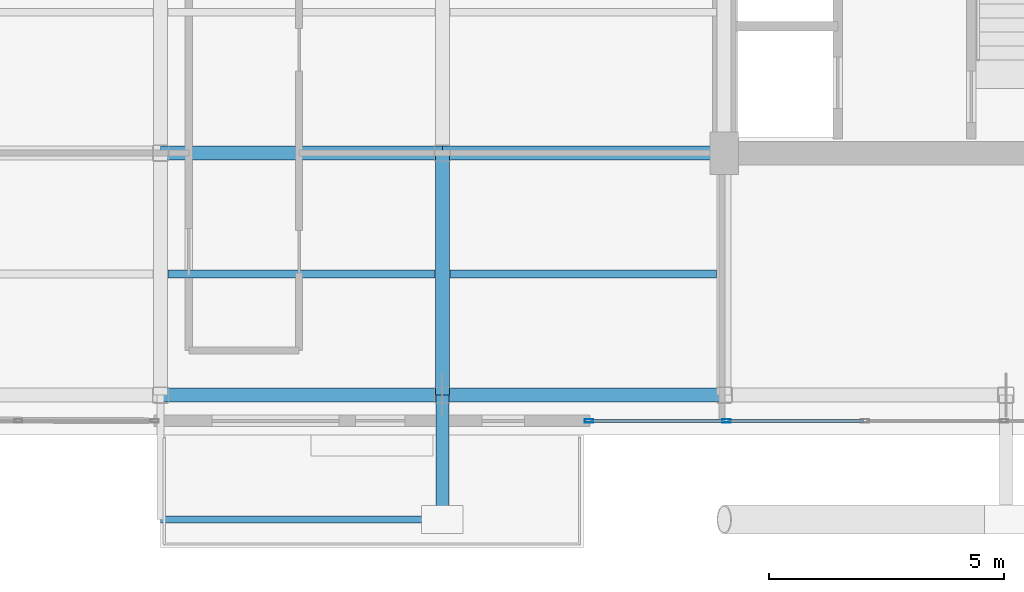
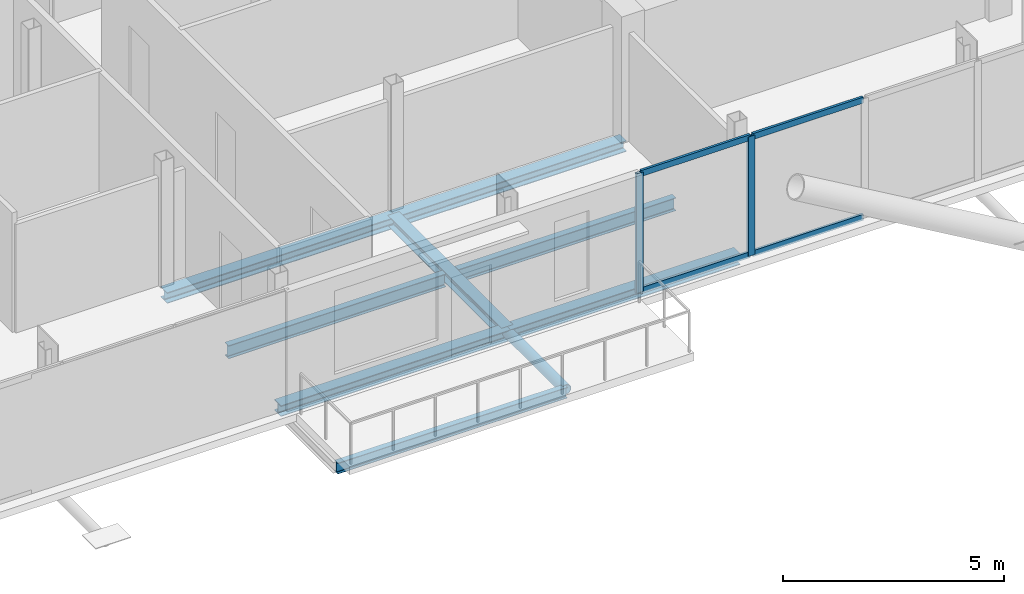
# One storey, part 4 of 18: 8 beams, 7 members, 1 element without a shape of its own.
"""IFC4 building model written with IfcOpenShell, lengths in metres."""

from ifc_helpers import new_model, si_unit, direction, frame, origin, origin_2d, place, context, subcontext, project, spatial, hollow_rectangle, hollow_circle, i_section, extrude, material, layer, layer_set, material_profile, profile_set, type_object, element, aggregate, save


model = new_model("IFC4")

# Units and contexts
model_context = context("Model", 3, precision=1e-05, world=origin(), true_north=direction((0.0, 1.0)))
body_context = subcontext(model_context, "Body", "Model", "MODEL_VIEW")
ifc_project = project(units=[si_unit("LENGTHUNIT", "METRE"), si_unit("AREAUNIT", "SQUARE_METRE"), si_unit("VOLUMEUNIT", "CUBIC_METRE"), si_unit("PLANEANGLEUNIT", "RADIAN"), si_unit("MASSUNIT", "GRAM", prefix="KILO"), si_unit("THERMODYNAMICTEMPERATUREUNIT", "KELVIN"), si_unit("POWERUNIT", "WATT")], contexts=[model_context])

# Site, building, storey
site_placement = place(None, origin())
site = spatial("IfcSite", under=ifc_project, at=site_placement, CompositionType="ELEMENT")
building_placement = place(site_placement, origin())
building = spatial("IfcBuilding", under=site, at=building_placement, Name="Svarakhadi Broadcast Tower", CompositionType="ELEMENT")
storey_placement = place(building_placement, frame((0.0, 0.0, 264.199951171875)))
storey = spatial("IfcBuildingStorey", under=building, at=storey_placement, Name="L66", CompositionType="ELEMENT", Elevation=264.199951171875)

# Beams
ifc_material_1 = material(Name="Steel S355J2 (IS 2062 E350C)", Category="steel")
ifc_material_profile_1 = material_profile(ifc_material_1, i_section(OverallWidth=0.169921875, OverallDepth=0.360107421875, WebThickness=0.008056640625, FlangeThickness=0.0126953125, FilletRadius=0.01806640625, at=origin_2d()), Name="NPB 360x170x57")
ifc_profile_set_1 = profile_set([ifc_material_profile_1], Name="Steel S355J2 (IS 2062 E350C)")
beam_type_1 = type_object("IfcBeamType", Name="Beam_NPB360", PredefinedType="BEAM", material=ifc_profile_set_1)
for number, where, z_axis, x_axis, name in (
    (1, (12.159912109375, 3.425048828125, -0.3798828125), (1.0, 0.0, 0.0), (0.0, 1.0, 0.0), "L66 Secondary Composite Beam SB007"),
    (2, (18.159912109375, 3.425048828125, -0.3798828125), (1.0, 0.0, 0.0), (0.0, 1.0, 0.0), "L66 Secondary Composite Beam SB010"),
):
    element("IfcBeam", number, at=place(storey_placement, frame(where, z_axis=z_axis, x_axis=x_axis)), inside=storey, type_object=beam_type_1, Name=name, PredefinedType="BEAM", context=body_context, shape_type="SweptSolid", body=[
        extrude(i_section(OverallWidth=0.169921875, OverallDepth=0.360107421875, WebThickness=0.008056640625, FlangeThickness=0.0126953125, FilletRadius=0.01806640625, at=origin_2d()), origin(), (0.0, 0.0, 1.0), 5.68017578125),
    ])

# Curtain wall, members
ifc_material_2 = material(Name="Anodised Bronze Aluminium AA 6063-T6", Category="aluminium")
ifc_layer = layer(ifc_material_2, 0.179931640625)
ifc_layer_set = layer_set([ifc_layer], Name="Anodised Bronze Aluminium AA 6063-T6")
curtain_wall_type = type_object("IfcCurtainWallType", Name="CW_Sys_05", PredefinedType="NOTDEFINED", material=ifc_layer_set)
curtain_wall_placement = place(storey_placement, origin())
curtain_wall = element("IfcCurtainWall", 3, at=curtain_wall_placement, inside=storey, type_object=curtain_wall_type, Name="L66 South Curtain Wall 16", PredefinedType="NOTDEFINED")
ifc_material_profile_2 = material_profile(ifc_material_2, hollow_rectangle(XDim=0.070068359375, YDim=0.179931640625, WallThickness=0.005615234375, at=origin_2d()), Name="ALU MULLION 180x70x6")
ifc_profile_set_2 = profile_set([ifc_material_profile_2], Name="Anodised Bronze Aluminium AA 6063-T6")
member_type_1 = type_object("IfcMemberType", Name="CW_Sys_05_Mul", PredefinedType="MULLION", material=ifc_profile_set_2)
member_1_placement = place(storey_placement, frame((24.044921875, 0.300048828125, 0.0), z_axis=(0.0, 0.0, 1.0), x_axis=(0.0, -1.0, 0.0)))
member_1 = element("IfcMember", 4, at=member_1_placement, type_object=member_type_1, Name="CW-05 mullion 4", PredefinedType="MULLION", context=body_context, shape_type="SweptSolid", body=[
    extrude(hollow_rectangle(XDim=0.070068359375, YDim=0.179931640625, WallThickness=0.005615234375, at=origin_2d()), origin(), (0.0, 0.0, 1.0), 3.300048828125),
])
member_2_placement = place(storey_placement, frame((21.125, 0.300048828125, 0.0), z_axis=(0.0, 0.0, 1.0), x_axis=(0.0, -1.0, 0.0)))
member_2 = element("IfcMember", 5, at=member_2_placement, type_object=member_type_1, Name="CW-05 mullion 5", PredefinedType="MULLION", context=body_context, shape_type="SweptSolid", body=[
    extrude(hollow_rectangle(XDim=0.070068359375, YDim=0.179931640625, WallThickness=0.005615234375, at=origin_2d()), origin(), (0.0, 0.0, 1.0), 3.300048828125),
])
ifc_material_profile_3 = material_profile(ifc_material_2, hollow_rectangle(XDim=0.06494140625, YDim=0.1650390625, WallThickness=0.0048828125, at=origin_2d()), Name="ALU TRANSOM 165x65x5")
ifc_profile_set_3 = profile_set([ifc_material_profile_3], Name="Anodised Bronze Aluminium AA 6063-T6")
member_type_2 = type_object("IfcMemberType", Name="CW_Sys_05_Trn", PredefinedType="USERDEFINED", material=ifc_profile_set_3)
member_3_placement = place(storey_placement, frame((26.965087890625, 0.300048828125, 0.032470703125), z_axis=(-1.0, 0.0, 0.0), x_axis=(0.0, -1.0, 0.0)))
member_3 = element("IfcMember", 6, at=member_3_placement, type_object=member_type_2, Name="CW-05 transom 3.1", ObjectType="TRANSOM", PredefinedType="USERDEFINED", context=body_context, shape_type="SweptSolid", body=[
    extrude(hollow_rectangle(XDim=0.06494140625, YDim=0.1650390625, WallThickness=0.0048828125, at=origin_2d()), origin(), (0.0, 0.0, 1.0), 2.885009765625),
])
member_4_placement = place(storey_placement, frame((26.965087890625, 0.300048828125, 3.267578125), z_axis=(-1.0, 0.0, 0.0), x_axis=(0.0, -1.0, 0.0)))
member_4 = element("IfcMember", 7, at=member_4_placement, type_object=member_type_2, Name="CW-05 transom 3.2", ObjectType="TRANSOM", PredefinedType="USERDEFINED", context=body_context, shape_type="SweptSolid", body=[
    extrude(hollow_rectangle(XDim=0.06494140625, YDim=0.1650390625, WallThickness=0.0048828125, at=origin_2d()), origin(), (0.0, 0.0, 1.0), 2.885009765625),
])
member_5_placement = place(storey_placement, frame((24.010009765625, 0.300048828125, 0.032470703125), z_axis=(-1.0, 0.0, 0.0), x_axis=(0.0, -1.0, 0.0)))
member_5 = element("IfcMember", 8, at=member_5_placement, type_object=member_type_2, Name="CW-05 transom 4.1", ObjectType="TRANSOM", PredefinedType="USERDEFINED", context=body_context, shape_type="SweptSolid", body=[
    extrude(hollow_rectangle(XDim=0.06494140625, YDim=0.1650390625, WallThickness=0.0048828125, at=origin_2d()), origin(), (0.0, 0.0, 1.0), 2.85009765625),
])
member_6_placement = place(storey_placement, frame((24.010009765625, 0.300048828125, 3.267578125), z_axis=(-1.0, 0.0, 0.0), x_axis=(0.0, -1.0, 0.0)))
member_6 = element("IfcMember", 9, at=member_6_placement, type_object=member_type_2, Name="CW-05 transom 4.2", ObjectType="TRANSOM", PredefinedType="USERDEFINED", context=body_context, shape_type="SweptSolid", body=[
    extrude(hollow_rectangle(XDim=0.06494140625, YDim=0.1650390625, WallThickness=0.0048828125, at=origin_2d()), origin(), (0.0, 0.0, 1.0), 2.85009765625),
])
aggregate(curtain_wall, [member_1, member_2, member_3, member_4, member_5, member_6])

# Member
ifc_material_3 = material(Name="Steel S460ML (IS 2062 E450BR)", Category="steel")
ifc_material_profile_4 = material_profile(ifc_material_3, hollow_circle(Radius=0.136474609375, WallThickness=0.012451171875, at=origin_2d()), Name="CHS 273x12.5")
ifc_profile_set_4 = profile_set([ifc_material_profile_4], Name="Steel S460ML (IS 2062 E450BR)")
member_type_3 = type_object("IfcMemberType", Name="Exo_Radial_Strut_Z3", PredefinedType="STRUT", material=ifc_profile_set_4)
member_7_placement = place(storey_placement, frame((18.0, -1.800048828125, -0.33642578125), z_axis=(0.0, 1.0, 0.0), x_axis=(-1.0, 0.0, 0.0)))
element("IfcMember", 10, at=member_7_placement, inside=storey, type_object=member_type_3, Name="L66 Exoskeleton Radial Tie Strut S02", PredefinedType="STRUT", context=body_context, shape_type="SweptSolid", body=[
    extrude(hollow_circle(Radius=0.136474609375, WallThickness=0.012451171875, at=origin_2d()), origin(), (0.0, 0.0, 1.0), 2.650146484375),
])

# Beams
ifc_material_profile_5 = material_profile(ifc_material_1, i_section(OverallWidth=0.300048828125, OverallDepth=0.300048828125, WebThickness=0.010986328125, FlangeThickness=0.01904296875, FilletRadius=0.027099609375, at=origin_2d()), Name="WPB 300x300x117")
ifc_profile_set_5 = profile_set([ifc_material_profile_5], Name="Steel S355J2 (IS 2062 E350C)")
beam_type_2 = type_object("IfcBeamType", Name="Girder_WPB300", PredefinedType="USERDEFINED", material=ifc_profile_set_5)
for number, where, z_axis, x_axis, name in (
    (11, (12.0, 0.85009765625, -0.349853515625), (1.0, 0.0, 0.0), (0.0, 1.0, 0.0), "L66 Primary E-W Girder G005"),
    (12, (18.0, 0.85009765625, -0.349853515625), (1.0, 0.0, 0.0), (0.0, 1.0, 0.0), "L66 Primary E-W Girder G006"),
    (13, (12.0, 6.0, -0.349853515625), (1.0, 0.0, 0.0), (0.0, 1.0, 0.0), "L66 Primary E-W Girder G010"),
    (14, (18.0, 6.0, -0.349853515625), (1.0, 0.0, 0.0), (0.0, 1.0, 0.0), "L66 Primary E-W Girder G011"),
):
    element("IfcBeam", number, at=place(storey_placement, frame(where, z_axis=z_axis, x_axis=x_axis)), inside=storey, type_object=beam_type_2, Name=name, ObjectType="GIRDER", PredefinedType="USERDEFINED", context=body_context, shape_type="SweptSolid", body=[
        extrude(i_section(OverallWidth=0.300048828125, OverallDepth=0.300048828125, WebThickness=0.010986328125, FlangeThickness=0.01904296875, FilletRadius=0.027099609375, at=origin_2d()), origin(), (0.0, 0.0, 1.0), 6.0),
    ])
beam_1_placement = place(storey_placement, frame((18.0, 0.85009765625, -0.349853515625), z_axis=(0.0, 1.0, 0.0), x_axis=(-1.0, 0.0, 0.0)))
element("IfcBeam", 15, at=beam_1_placement, inside=storey, type_object=beam_type_2, Name="L66 Primary N-S Girder G036", ObjectType="GIRDER", PredefinedType="USERDEFINED", context=body_context, shape_type="SweptSolid", body=[
    extrude(i_section(OverallWidth=0.300048828125, OverallDepth=0.300048828125, WebThickness=0.010986328125, FlangeThickness=0.01904296875, FilletRadius=0.027099609375, at=origin_2d()), origin(), (0.0, 0.0, 1.0), 5.14990234375),
])
ifc_material_profile_6 = material_profile(ifc_material_1, i_section(OverallWidth=0.14990234375, OverallDepth=0.300048828125, WebThickness=0.007080078125, FlangeThickness=0.0107421875, FilletRadius=0.014892578125, at=origin_2d()), Name="NPB 300x150x37")
ifc_profile_set_6 = profile_set([ifc_material_profile_6], Name="Steel S355J2 (IS 2062 E350C)")
beam_type_3 = type_object("IfcBeamType", Name="Spandrel_NPB300", PredefinedType="SPANDREL", material=ifc_profile_set_6)
beam_2_placement = place(storey_placement, frame((12.0, -1.800048828125, -0.375), z_axis=(1.0, 0.0, 0.0), x_axis=(0.0, 1.0, 0.0)))
element("IfcBeam", 16, at=beam_2_placement, inside=storey, type_object=beam_type_3, Name="L66 Balcony Outer Spandrel 1F", PredefinedType="SPANDREL", context=body_context, shape_type="SweptSolid", body=[
    extrude(i_section(OverallWidth=0.14990234375, OverallDepth=0.300048828125, WebThickness=0.007080078125, FlangeThickness=0.0107421875, FilletRadius=0.014892578125, at=origin_2d()), origin(), (0.0, 0.0, 1.0), 6.0),
])

save(model, "model.ifc")
